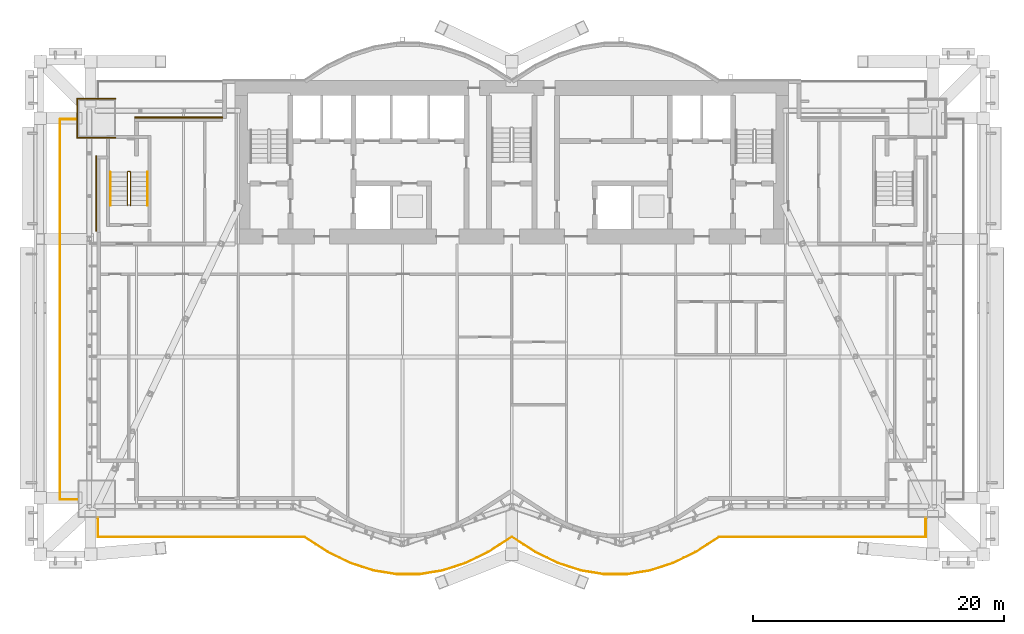
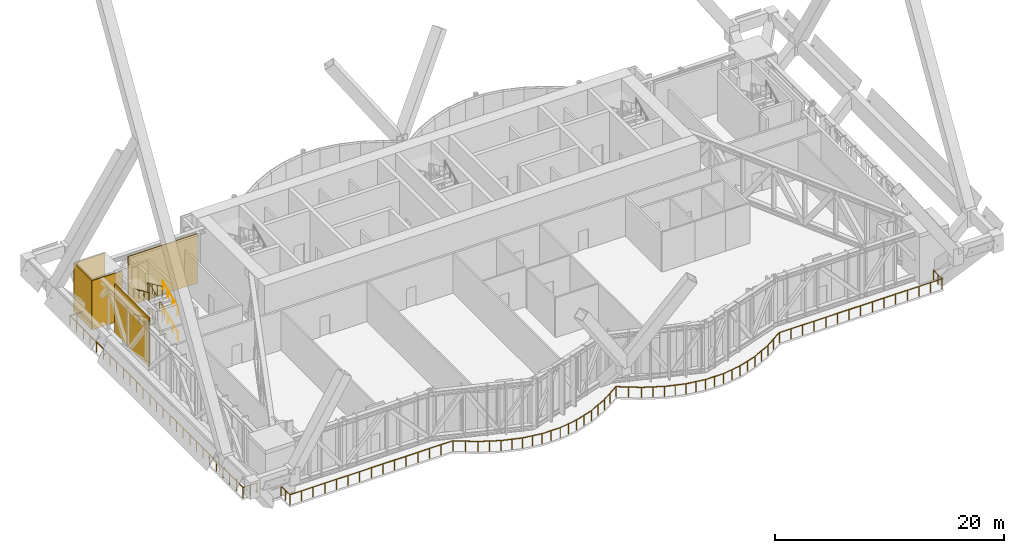
# One storey, part 29 of 32: 8 railings, 5 coverings.
"""IFC4 building model written with IfcOpenShell, lengths in metres."""

import ifcopenshell
import ifcopenshell.guid

model = None  # the IFC model being written
_history = None  # IfcOwnerHistory: only IFC2X3 demands one
_inside = {}  # id of a spatial element -> (the spatial element, [elements in it])
_under = {}  # id of a project, library or spatial element -> (it, [spatial elements below it])
_declared = {}  # id of a project -> (the project, [libraries it declares])
_typed = {}  # id of a type object -> (the type object, [elements of that type])
_made_of = {}  # id of a material, layer set ... -> (it, [elements and type objects made of it])


def new_model(schema):
    """Start an empty IFC model of exactly this schema.

    Asked for "IFC4X3", IfcOpenShell would pick the latest addendum, in which some entities
    have other attributes; the version numbers below select the first issue.
    IFC2X3 requires an IfcOwnerHistory on every rooted entity: one is made here for all.
    """
    global model, _history
    if schema == "IFC4X3":
        model = ifcopenshell.file(schema_version=(4, 3, 0, 0))
    else:
        model = ifcopenshell.file(schema=schema)
    _inside.clear()
    _under.clear()
    _declared.clear()
    _typed.clear()
    _made_of.clear()
    _history = None
    if model.schema == "IFC2X3":
        org = make("IfcOrganization", Name="unknown")
        user = make(
            "IfcPersonAndOrganization",
            ThePerson=make("IfcPerson", FamilyName="unknown"),
            TheOrganization=org,
        )
        app = make(
            "IfcApplication",
            ApplicationDeveloper=org,
            Version="unknown",
            ApplicationFullName="unknown",
            ApplicationIdentifier="unknown",
        )
        _history = make(
            "IfcOwnerHistory",
            OwningUser=user,
            OwningApplication=app,
            ChangeAction="ADDED",
            CreationDate=0,
        )
    return model


def make(cls, **values):
    """One entity of the class cls with the attributes given. An attribute that is None is left unset."""
    return model.create_entity(
        cls, **{name: value for name, value in values.items() if value is not None}
    )


def rooted(cls, **values):
    """An entity with a GlobalId (a new one), such as an element, a storey or a relation."""
    return make(cls, GlobalId=ifcopenshell.guid.new(), OwnerHistory=_history, **values)


def si_unit(unit_type, name, prefix=None):
    """IfcSIUnit, for example si_unit("LENGTHUNIT", "METRE", prefix="MILLI")."""
    return make("IfcSIUnit", UnitType=unit_type, Prefix=prefix, Name=name)


def assignment(units):
    """IfcUnitAssignment: the units of a project."""
    return None if units is None else make("IfcUnitAssignment", Units=units)


def point(xyz):
    """IfcCartesianPoint."""
    return None if xyz is None else make("IfcCartesianPoint", Coordinates=xyz)


def direction(xyz):
    """IfcDirection."""
    return None if xyz is None else make("IfcDirection", DirectionRatios=xyz)


def frame(location, z_axis=None, x_axis=None):
    """IfcAxis2Placement3D, a coordinate frame: its origin and axes. An axis left out is left unset."""
    return make(
        "IfcAxis2Placement3D",
        Location=point(location),
        Axis=direction(z_axis),
        RefDirection=direction(x_axis),
    )


def frame_2d(location, x_axis=None):
    """IfcAxis2Placement2D, a coordinate frame in the plane: its origin and x axis."""
    return make(
        "IfcAxis2Placement2D", Location=point(location), RefDirection=direction(x_axis)
    )


def origin():
    """The frame at (0, 0, 0) with its axes left unset."""
    return frame((0.0, 0.0, 0.0))


def origin_2d():
    """The frame at (0, 0) in the plane with its x axis left unset."""
    return frame_2d((0.0, 0.0))


def place(relative_to, where):
    """IfcLocalPlacement: puts the frame where relative to a parent placement (None: the world)."""
    return make(
        "IfcLocalPlacement", PlacementRelTo=relative_to, RelativePlacement=where
    )


def context(
    kind, dimensions, precision=None, world=None, true_north=None, identifier=None
):
    """IfcGeometricRepresentationContext, for example the 3D "Model" context."""
    return make(
        "IfcGeometricRepresentationContext",
        ContextIdentifier=identifier,
        ContextType=kind,
        CoordinateSpaceDimension=dimensions,
        Precision=precision,
        WorldCoordinateSystem=world,
        TrueNorth=true_north,
    )


def subcontext(parent, identifier, kind, view, scale=None):
    """IfcGeometricRepresentationSubContext, for example "Body" below "Model"."""
    return make(
        "IfcGeometricRepresentationSubContext",
        ContextIdentifier=identifier,
        ContextType=kind,
        ParentContext=parent,
        TargetScale=scale,
        TargetView=view,
    )


def project(units=None, contexts=None):
    """IfcProject with its units and contexts."""
    return rooted(
        "IfcProject",
        Name="project",
        RepresentationContexts=contexts,
        UnitsInContext=assignment(units),
    )


def spatial(cls, under=None, at=None, **own):
    """A site, building, storey or space (cls), placed at a placement, below another one or the project."""
    s = rooted(cls, ObjectPlacement=at, **own)
    if under is not None:
        _under.setdefault(under.id(), (under, []))[1].append(s)
    return s


def profile(cls, at=None, kind="AREA", **sizes):
    """A parametric profile (cls). Its sizes go by their IFC names, for example OverallWidth=200.0."""
    return make(cls, ProfileType=kind, Position=at, **sizes)


def rectangle(**sizes):
    """IfcRectangleProfileDef."""
    return profile("IfcRectangleProfileDef", **sizes)


def circle(**sizes):
    """IfcCircleProfileDef."""
    return profile("IfcCircleProfileDef", **sizes)


def extrude(swept, where, along, depth):
    """IfcExtrudedAreaSolid: the profile swept, set in the frame where, extruded along a direction by depth."""
    return make(
        "IfcExtrudedAreaSolid",
        SweptArea=swept,
        Position=where,
        ExtrudedDirection=direction(along),
        Depth=depth,
    )


def shape(context_of_items, identifier, shape_type, items):
    """IfcShapeRepresentation: the items that make up one representation, for example the "Body"."""
    return make(
        "IfcShapeRepresentation",
        ContextOfItems=context_of_items,
        RepresentationIdentifier=identifier,
        RepresentationType=shape_type,
        Items=items,
    )


def material(Name=None, Category=None):
    """IfcMaterial."""
    return make("IfcMaterial", Name=Name, Category=Category)


def layer(
    of_material, thickness, ventilated=None, Name=None, Category=None, Priority=None
):
    """IfcMaterialLayer: one layer of a wall or slab, of a material (None: an air gap)."""
    return make(
        "IfcMaterialLayer",
        Material=of_material,
        LayerThickness=thickness,
        IsVentilated=ventilated,
        Name=Name,
        Category=Category,
        Priority=Priority,
    )


def layer_set(layers, Name=None):
    """IfcMaterialLayerSet."""
    return make("IfcMaterialLayerSet", MaterialLayers=layers, LayerSetName=Name)


def made_of(thing, what):
    """Note that an element or type object is made of a material, layer set ...; save() writes the relation."""
    if what is not None:
        _made_of.setdefault(what.id(), (what, []))[1].append(thing)
    return thing


def type_object(cls, material=None, **own):
    """A type object (cls), such as IfcWallType, which elements share."""
    return made_of(rooted(cls, **own), material)


def element(
    cls,
    number,
    at=None,
    inside=None,
    cuts=None,
    type_object=None,
    material=None,
    context=None,
    identifier="Body",
    shape_type=None,
    held_by="IfcProductDefinitionShape",
    body=None,
    shapes=None,
    **own,
):
    """One element of the class cls, such as IfcWall. Its Tag is "e" and its number.

    at: its placement. inside: the storey or other place that contains it. cuts: it is an
    opening in that element (IfcRelVoidsElement). A single representation is given by context,
    identifier, shape_type and body (its items); several are given by shapes. held_by: the class
    of the entity that holds the representations. save() writes the other relations.
    """
    e = rooted(cls, Tag="e%d" % number, ObjectPlacement=at, **own)
    if body is not None:
        shapes = [shape(context, identifier, shape_type, body)]
    if shapes is not None:
        e.Representation = make(held_by, Representations=shapes)
    if inside is not None:
        _inside.setdefault(inside.id(), (inside, []))[1].append(e)
    if cuts is not None:
        rooted(
            "IfcRelVoidsElement", RelatingBuildingElement=cuts, RelatedOpeningElement=e
        )
    if type_object is not None:
        _typed.setdefault(type_object.id(), (type_object, []))[1].append(e)
    return made_of(e, material)


def aggregate(whole, parts):
    """IfcRelAggregates: a whole, such as a stair, and the parts it consists of."""
    return rooted("IfcRelAggregates", RelatingObject=whole, RelatedObjects=parts)


def save(model, path):
    """Write the relations noted so far, then the file.

    IfcRelAggregates (storeys below a building ...), IfcRelContainedInSpatialStructure (elements
    in a storey), IfcRelDefinesByType, IfcRelAssociatesMaterial and IfcRelDeclares: one each for
    every whole, place, type object, material and project.
    """
    for whole, parts in _under.values():
        aggregate(whole, parts)
    for where, things in _inside.values():
        rooted(
            "IfcRelContainedInSpatialStructure",
            RelatedElements=things,
            RelatingStructure=where,
        )
    for kind, things in _typed.values():
        rooted("IfcRelDefinesByType", RelatedObjects=things, RelatingType=kind)
    for what, things in _made_of.values():
        rooted("IfcRelAssociatesMaterial", RelatedObjects=things, RelatingMaterial=what)
    for by, libraries in _declared.values():
        rooted("IfcRelDeclares", RelatingContext=by, RelatedDefinitions=libraries)
    model.write(path)


model = new_model("IFC4")

# Units and contexts
model_context = context("Model", 3, precision=1e-05, world=origin(), true_north=direction((0.0, 1.0)))
body_context = subcontext(model_context, "Body", "Model", "MODEL_VIEW")
ifc_project = project(units=[si_unit("LENGTHUNIT", "METRE"), si_unit("AREAUNIT", "SQUARE_METRE"), si_unit("VOLUMEUNIT", "CUBIC_METRE"), si_unit("PLANEANGLEUNIT", "RADIAN"), si_unit("MASSUNIT", "GRAM", prefix="KILO")], contexts=[model_context])

# Site, building, storey
site_placement = place(None, origin())
site = spatial("IfcSite", under=ifc_project, at=site_placement, CompositionType="ELEMENT")
building_placement = place(site_placement, origin())
building = spatial("IfcBuilding", under=site, at=building_placement, Name="Bicima Exchange Tower", CompositionType="ELEMENT")
storey_placement = place(building_placement, frame((0.0, 0.0, 135.0)))
storey = spatial("IfcBuildingStorey", under=building, at=storey_placement, Name="L29", CompositionType="ELEMENT", Elevation=135.0)

# Coverings
ifc_material_1 = material(Name="Bronze metal cladding")
ifc_layer_1 = layer(ifc_material_1, 0.004)
ifc_material_2 = material(Name="Ventilated cavity")
ifc_layer_2 = layer(ifc_material_2, 0.06)
ifc_material_3 = material(Name="Galvanised steel rail and mineral wool", Category="steel")
ifc_layer_3 = layer(ifc_material_3, 0.036)
ifc_layer_set = layer_set([ifc_layer_1, ifc_layer_2, ifc_layer_3], Name="Ventilated cavity")
covering_type = type_object("IfcCoveringType", Name="Bronze metal cladding panel 100", PredefinedType="CLADDING", material=ifc_layer_set)
covering_1_placement = place(storey_placement, frame((-26.5, -2.949951171875, 0.0), z_axis=(0.0, 0.0, 1.0), x_axis=(-1.0, 0.0, 0.0)))
element("IfcCovering", 1, at=covering_1_placement, inside=storey, type_object=covering_type, Name="Bronze cladding L29 28.1", PredefinedType="CLADDING", context=body_context, shape_type="SweptSolid", body=[
    extrude(rectangle(XDim=7.0, YDim=0.10009765625, at=origin_2d()), origin(), (0.0, 0.0, 1.0), 5.25),
])
covering_2_placement = place(storey_placement, frame((-33.050048828125, -9.0, 0.0), z_axis=(0.0, 0.0, 1.0), x_axis=(0.0, -1.0, 0.0)))
element("IfcCovering", 2, at=covering_2_placement, inside=storey, type_object=covering_type, Name="Bronze cladding L29 31.1", PredefinedType="CLADDING", context=body_context, shape_type="SweptSolid", body=[
    extrude(rectangle(XDim=6.0, YDim=0.10009765625, at=origin_2d()), origin(), (0.0, 0.0, 1.0), 5.25),
])
for number, where, z_axis, x_axis, name in (
    (3, (-33.050048828125, -1.449951171875, 0.0), (0.0, 0.0, 1.0), (1.0, 0.0, 0.0), "Column cladding L29 1N"),
    (4, (-33.050048828125, -4.550048828125, 0.0), (0.0, 0.0, 1.0), (1.0, 0.0, 0.0), "Column cladding L29 1S"),
):
    element("IfcCovering", number, at=place(storey_placement, frame(where, z_axis=z_axis, x_axis=x_axis)), inside=storey, type_object=covering_type, Name=name, PredefinedType="CLADDING", context=body_context, shape_type="SweptSolid", body=[
        extrude(rectangle(XDim=3.10009765625, YDim=0.10009765625, at=origin_2d()), origin(), (0.0, 0.0, 1.0), 5.25),
    ])
covering_3_placement = place(storey_placement, frame((-34.550048828125, -3.0, 0.0), z_axis=(0.0, 0.0, 1.0), x_axis=(1.0, 0.0, 0.0)))
element("IfcCovering", 5, at=covering_3_placement, inside=storey, type_object=covering_type, Name="Column cladding L29 1O", PredefinedType="CLADDING", context=body_context, shape_type="SweptSolid", body=[
    extrude(rectangle(XDim=0.10009765625, YDim=3.0, at=origin_2d()), origin(), (0.0, 0.0, 1.0), 5.25),
])

# Railings
ifc_material_4 = material(Name="Stainless steel", Category="steel")
railing_type_1 = type_object("IfcRailingType", Name="Stair guard 1100", PredefinedType="GUARDRAIL", material=ifc_material_4)
railing_1_placement = place(storey_placement, frame((-30.324951171875, -9.925048828125, 0.168701171875)))
element("IfcRailing", 6, at=railing_1_placement, inside=storey, type_object=railing_type_1, Name="L29 ST-WW stair guard 1", PredefinedType="GUARDRAIL", context=body_context, shape_type="SweptSolid", body=[
    extrude(circle(Radius=0.02392578125, at=origin_2d()), frame((0.0, 0.0, 1.076171875), z_axis=(0.0, 0.912201722539, 0.409741403079), x_axis=(-1.0, 0.0, 0.0)), (0.0, 0.0, 1.0), 2.88330078125),
    extrude(circle(Radius=0.02392578125, at=origin_2d()), frame((0.0, 2.630126953125, 2.25732421875), z_axis=(-0.708833529934, 0.705375805398, 0.0), x_axis=(-0.705375805398, -0.708833529934, 0.0)), (0.0, 0.0, 1.0), 0.070556640625),
    extrude(circle(Radius=0.02392578125, at=origin_2d()), frame((-0.050048828125, 2.679931640625, 2.25732421875), z_axis=(-1.0, 0.0, 0.0), x_axis=(0.0, -1.0, 0.0)), (0.0, 0.0, 1.0), 0.14990234375),
    extrude(circle(Radius=0.02392578125, at=origin_2d()), frame((-0.199951171875, 2.679931640625, 2.25732421875), z_axis=(-0.273668752699, -0.272333783174, 0.922463942026), x_axis=(0.705375805398, -0.708833529934, 0.0)), (0.0, 0.0, 1.0), 0.182861328125),
    extrude(circle(Radius=0.02392578125, at=origin_2d()), frame((-0.25, 2.630126953125, 2.42626953125), z_axis=(0.0, -0.912233369549, 0.409670940488), x_axis=(1.0, 0.0, 0.0)), (0.0, 0.0, 1.0), 2.883056640625),
    extrude(circle(Radius=0.02099609375, at=origin_2d()), origin(), (0.0, 0.0, 1.0), 1.052001953125),
    extrude(circle(Radius=0.02099609375, at=origin_2d()), frame((0.0, 0.876708984375, 0.393798828125)), (0.0, 0.0, 1.0), 1.052001953125),
    extrude(circle(Radius=0.02099609375, at=origin_2d()), frame((0.0, 1.75341796875, 0.78759765625)), (0.0, 0.0, 1.0), 1.052001953125),
    extrude(circle(Radius=0.02099609375, at=origin_2d()), frame((0.0, 2.630126953125, 1.181396484375)), (0.0, 0.0, 1.0), 1.052001953125),
    extrude(circle(Radius=0.02099609375, at=origin_2d()), frame((-0.050048828125, 2.679931640625, 1.181396484375)), (0.0, 0.0, 1.0), 1.052001953125),
    extrude(circle(Radius=0.02099609375, at=origin_2d()), frame((-0.199951171875, 2.679931640625, 1.181396484375)), (0.0, 0.0, 1.0), 1.052001953125),
    extrude(circle(Radius=0.02099609375, at=origin_2d()), frame((-0.25, 2.630126953125, 1.35009765625)), (0.0, 0.0, 1.0), 1.052001953125),
    extrude(circle(Radius=0.02099609375, at=origin_2d()), frame((-0.25, 1.75341796875, 1.743896484375)), (0.0, 0.0, 1.0), 1.052001953125),
    extrude(circle(Radius=0.02099609375, at=origin_2d()), frame((-0.25, 0.876708984375, 2.137451171875)), (0.0, 0.0, 1.0), 1.052001953125),
    extrude(circle(Radius=0.02099609375, at=origin_2d()), frame((-0.25, 0.0, 2.53125)), (0.0, 0.0, 1.0), 1.052001953125),
])
railing_2_placement = place(storey_placement, frame((-30.324951171875, -9.925048828125, 2.86865234375)))
element("IfcRailing", 7, at=railing_2_placement, inside=storey, type_object=railing_type_1, Name="L29 ST-WW stair guard 2", PredefinedType="GUARDRAIL", context=body_context, shape_type="SweptSolid", body=[
    extrude(circle(Radius=0.02392578125, at=origin_2d()), frame((0.0, 0.0, 1.076171875), z_axis=(0.0, 0.912201722539, 0.409741403079), x_axis=(-1.0, 0.0, 0.0)), (0.0, 0.0, 1.0), 2.88330078125),
    extrude(circle(Radius=0.02392578125, at=origin_2d()), frame((0.0, 2.630126953125, 2.25732421875), z_axis=(-0.708833529934, 0.705375805398, 0.0), x_axis=(-0.705375805398, -0.708833529934, 0.0)), (0.0, 0.0, 1.0), 0.070556640625),
    extrude(circle(Radius=0.02392578125, at=origin_2d()), frame((-0.050048828125, 2.679931640625, 2.25732421875), z_axis=(-1.0, 0.0, 0.0), x_axis=(0.0, -1.0, 0.0)), (0.0, 0.0, 1.0), 0.14990234375),
    extrude(circle(Radius=0.02392578125, at=origin_2d()), frame((-0.199951171875, 2.679931640625, 2.25732421875), z_axis=(-0.273668752699, -0.272333783174, 0.922463942026), x_axis=(0.705375805398, -0.708833529934, 0.0)), (0.0, 0.0, 1.0), 0.182861328125),
    extrude(circle(Radius=0.02392578125, at=origin_2d()), frame((-0.25, 2.630126953125, 2.42626953125), z_axis=(0.0, -0.912233369549, 0.409670940488), x_axis=(1.0, 0.0, 0.0)), (0.0, 0.0, 1.0), 2.883056640625),
    extrude(circle(Radius=0.02099609375, at=origin_2d()), origin(), (0.0, 0.0, 1.0), 1.052001953125),
    extrude(circle(Radius=0.02099609375, at=origin_2d()), frame((0.0, 0.876708984375, 0.393798828125)), (0.0, 0.0, 1.0), 1.052001953125),
    extrude(circle(Radius=0.02099609375, at=origin_2d()), frame((0.0, 1.75341796875, 0.78759765625)), (0.0, 0.0, 1.0), 1.052001953125),
    extrude(circle(Radius=0.02099609375, at=origin_2d()), frame((0.0, 2.630126953125, 1.181396484375)), (0.0, 0.0, 1.0), 1.052001953125),
    extrude(circle(Radius=0.02099609375, at=origin_2d()), frame((-0.050048828125, 2.679931640625, 1.181396484375)), (0.0, 0.0, 1.0), 1.052001953125),
    extrude(circle(Radius=0.02099609375, at=origin_2d()), frame((-0.199951171875, 2.679931640625, 1.181396484375)), (0.0, 0.0, 1.0), 1.052001953125),
    extrude(circle(Radius=0.02099609375, at=origin_2d()), frame((-0.25, 2.630126953125, 1.35009765625)), (0.0, 0.0, 1.0), 1.052001953125),
    extrude(circle(Radius=0.02099609375, at=origin_2d()), frame((-0.25, 1.75341796875, 1.743896484375)), (0.0, 0.0, 1.0), 1.052001953125),
    extrude(circle(Radius=0.02099609375, at=origin_2d()), frame((-0.25, 0.876708984375, 2.137451171875)), (0.0, 0.0, 1.0), 1.052001953125),
    extrude(circle(Radius=0.02099609375, at=origin_2d()), frame((-0.25, 0.0, 2.53125)), (0.0, 0.0, 1.0), 1.052001953125),
])
railing_type_2 = type_object("IfcRailingType", Name="Stair handrail 900", PredefinedType="HANDRAIL", material=ifc_material_4)
railing_3_placement = place(storey_placement, frame((-28.97509765625, -9.925048828125, 0.168701171875)))
element("IfcRailing", 8, at=railing_3_placement, inside=storey, type_object=railing_type_2, Name="L29 ST-WW stair handrail 1", PredefinedType="HANDRAIL", context=body_context, shape_type="SweptSolid", body=[
    extrude(circle(Radius=0.02392578125, at=origin_2d()), frame((0.0, 0.0, 0.8759765625), z_axis=(0.0, 0.912201722539, 0.409741403079), x_axis=(-1.0, 0.0, 0.0)), (0.0, 0.0, 1.0), 2.88330078125),
    extrude(circle(Radius=0.02099609375, at=origin_2d()), origin(), (0.0, 0.0, 1.0), 0.851806640625),
    extrude(circle(Radius=0.02099609375, at=origin_2d()), frame((0.0, 0.876708984375, 0.393798828125)), (0.0, 0.0, 1.0), 0.851806640625),
    extrude(circle(Radius=0.02099609375, at=origin_2d()), frame((0.0, 1.75341796875, 0.78759765625)), (0.0, 0.0, 1.0), 0.851806640625),
    extrude(circle(Radius=0.02099609375, at=origin_2d()), frame((0.0, 2.630126953125, 1.181396484375)), (0.0, 0.0, 1.0), 0.851806640625),
])
railing_4_placement = place(storey_placement, frame((-31.925048828125, -7.294921875, 1.518798828125)))
element("IfcRailing", 9, at=railing_4_placement, inside=storey, type_object=railing_type_2, Name="L29 ST-WW stair handrail 2", PredefinedType="HANDRAIL", context=body_context, shape_type="SweptSolid", body=[
    extrude(circle(Radius=0.02392578125, at=origin_2d()), frame((0.0, 0.0, 0.8759765625), z_axis=(0.0, -0.912233369549, 0.409670940488), x_axis=(1.0, 0.0, 0.0)), (0.0, 0.0, 1.0), 2.883056640625),
    extrude(circle(Radius=0.02099609375, at=origin_2d()), origin(), (0.0, 0.0, 1.0), 0.851806640625),
    extrude(circle(Radius=0.02099609375, at=origin_2d()), frame((0.0, -0.876708984375, 0.393798828125)), (0.0, 0.0, 1.0), 0.851806640625),
    extrude(circle(Radius=0.02099609375, at=origin_2d()), frame((0.0, -1.75341796875, 0.787353515625)), (0.0, 0.0, 1.0), 0.851806640625),
    extrude(circle(Radius=0.02099609375, at=origin_2d()), frame((0.0, -2.630126953125, 1.18115234375)), (0.0, 0.0, 1.0), 0.851806640625),
])
railing_5_placement = place(storey_placement, frame((-28.97509765625, -9.925048828125, 2.86865234375)))
element("IfcRailing", 10, at=railing_5_placement, inside=storey, type_object=railing_type_2, Name="L29 ST-WW stair handrail 3", PredefinedType="HANDRAIL", context=body_context, shape_type="SweptSolid", body=[
    extrude(circle(Radius=0.02392578125, at=origin_2d()), frame((0.0, 0.0, 0.8759765625), z_axis=(0.0, 0.912201722539, 0.409741403079), x_axis=(-1.0, 0.0, 0.0)), (0.0, 0.0, 1.0), 2.88330078125),
    extrude(circle(Radius=0.02099609375, at=origin_2d()), origin(), (0.0, 0.0, 1.0), 0.851806640625),
    extrude(circle(Radius=0.02099609375, at=origin_2d()), frame((0.0, 0.876708984375, 0.393798828125)), (0.0, 0.0, 1.0), 0.851806640625),
    extrude(circle(Radius=0.02099609375, at=origin_2d()), frame((0.0, 1.75341796875, 0.78759765625)), (0.0, 0.0, 1.0), 0.851806640625),
    extrude(circle(Radius=0.02099609375, at=origin_2d()), frame((0.0, 2.630126953125, 1.181396484375)), (0.0, 0.0, 1.0), 0.851806640625),
])
railing_6_placement = place(storey_placement, frame((-31.925048828125, -7.294921875, 4.241455078125)))
element("IfcRailing", 11, at=railing_6_placement, inside=storey, type_object=railing_type_2, Name="L29 ST-WW stair handrail 4", PredefinedType="HANDRAIL", context=body_context, shape_type="SweptSolid", body=[
    extrude(circle(Radius=0.02392578125, at=origin_2d()), frame((0.0, 0.0, 0.8759765625), z_axis=(0.0, -0.912201722539, 0.409741403079), x_axis=(1.0, 0.0, 0.0)), (0.0, 0.0, 1.0), 2.88330078125),
    extrude(circle(Radius=0.02099609375, at=origin_2d()), origin(), (0.0, 0.0, 1.0), 0.851806640625),
    extrude(circle(Radius=0.02099609375, at=origin_2d()), frame((0.0, -0.876708984375, 0.393798828125)), (0.0, 0.0, 1.0), 0.851806640625),
    extrude(circle(Radius=0.02099609375, at=origin_2d()), frame((0.0, -1.75341796875, 0.78759765625)), (0.0, 0.0, 1.0), 0.851806640625),
    extrude(circle(Radius=0.02099609375, at=origin_2d()), frame((0.0, -2.630126953125, 1.181396484375)), (0.0, 0.0, 1.0), 0.851806640625),
])
ifc_material_5 = material(Name="Stainless steel and bonded safety glass", Category="steel")
railing_type_3 = type_object("IfcRailingType", Name="Terrace guard 1100", PredefinedType="GUARDRAIL", material=ifc_material_5)
railing_7_placement = place(storey_placement, frame((-34.5, -33.30810546875, 0.0)))
element("IfcRailing", 12, at=railing_7_placement, inside=storey, type_object=railing_type_3, Name="Terrace guard L29 1", PredefinedType="GUARDRAIL", context=body_context, shape_type="SweptSolid", body=[
    extrude(circle(Radius=0.02392578125, at=origin_2d()), frame((0.0, 0.0, 1.076171875), z_axis=(-1.0, 0.0, 0.0), x_axis=(0.0, -1.0, 0.0)), (0.0, 0.0, 1.0), 1.419921875),
    extrude(circle(Radius=0.02392578125, at=origin_2d()), frame((-1.419921875, 0.0, 1.076171875), z_axis=(0.0, 1.0, 0.0), x_axis=(-1.0, 0.0, 0.0)), (0.0, 0.0, 1.0), 30.22802734375),
    extrude(circle(Radius=0.02392578125, at=origin_2d()), frame((-1.419921875, 30.22802734375, 1.076171875), z_axis=(1.0, 0.0, 0.0), x_axis=(0.0, 1.0, 0.0)), (0.0, 0.0, 1.0), 1.419921875),
    extrude(circle(Radius=0.02099609375, at=origin_2d()), origin(), (0.0, 0.0, 1.0), 1.052001953125),
    extrude(circle(Radius=0.02099609375, at=origin_2d()), frame((-0.7099609375, 0.0, 0.0)), (0.0, 0.0, 1.0), 1.052001953125),
    extrude(circle(Radius=0.02099609375, at=origin_2d()), frame((-1.419921875, 0.0, 0.0)), (0.0, 0.0, 1.0), 1.052001953125),
    extrude(circle(Radius=0.02099609375, at=origin_2d()), frame((-1.419921875, 1.16259765625, 0.0)), (0.0, 0.0, 1.0), 1.052001953125),
    extrude(circle(Radius=0.02099609375, at=origin_2d()), frame((-1.419921875, 2.3251953125, 0.0)), (0.0, 0.0, 1.0), 1.052001953125),
    extrude(circle(Radius=0.02099609375, at=origin_2d()), frame((-1.419921875, 3.48779296875, 0.0)), (0.0, 0.0, 1.0), 1.052001953125),
    extrude(circle(Radius=0.02099609375, at=origin_2d()), frame((-1.419921875, 4.650390625, 0.0)), (0.0, 0.0, 1.0), 1.052001953125),
    extrude(circle(Radius=0.02099609375, at=origin_2d()), frame((-1.419921875, 5.81298828125, 0.0)), (0.0, 0.0, 1.0), 1.052001953125),
    extrude(circle(Radius=0.02099609375, at=origin_2d()), frame((-1.419921875, 6.9755859375, 0.0)), (0.0, 0.0, 1.0), 1.052001953125),
    extrude(circle(Radius=0.02099609375, at=origin_2d()), frame((-1.419921875, 8.138427734375, 0.0)), (0.0, 0.0, 1.0), 1.052001953125),
    extrude(circle(Radius=0.02099609375, at=origin_2d()), frame((-1.419921875, 9.301025390625, 0.0)), (0.0, 0.0, 1.0), 1.052001953125),
    extrude(circle(Radius=0.02099609375, at=origin_2d()), frame((-1.419921875, 10.463623046875, 0.0)), (0.0, 0.0, 1.0), 1.052001953125),
    extrude(circle(Radius=0.02099609375, at=origin_2d()), frame((-1.419921875, 11.626220703125, 0.0)), (0.0, 0.0, 1.0), 1.052001953125),
    extrude(circle(Radius=0.02099609375, at=origin_2d()), frame((-1.419921875, 12.788818359375, 0.0)), (0.0, 0.0, 1.0), 1.052001953125),
    extrude(circle(Radius=0.02099609375, at=origin_2d()), frame((-1.419921875, 13.951416015625, 0.0)), (0.0, 0.0, 1.0), 1.052001953125),
    extrude(circle(Radius=0.02099609375, at=origin_2d()), frame((-1.419921875, 15.114013671875, 0.0)), (0.0, 0.0, 1.0), 1.052001953125),
    extrude(circle(Radius=0.02099609375, at=origin_2d()), frame((-1.419921875, 16.276611328125, 0.0)), (0.0, 0.0, 1.0), 1.052001953125),
    extrude(circle(Radius=0.02099609375, at=origin_2d()), frame((-1.419921875, 17.439208984375, 0.0)), (0.0, 0.0, 1.0), 1.052001953125),
    extrude(circle(Radius=0.02099609375, at=origin_2d()), frame((-1.419921875, 18.601806640625, 0.0)), (0.0, 0.0, 1.0), 1.052001953125),
    extrude(circle(Radius=0.02099609375, at=origin_2d()), frame((-1.419921875, 19.764404296875, 0.0)), (0.0, 0.0, 1.0), 1.052001953125),
    extrude(circle(Radius=0.02099609375, at=origin_2d()), frame((-1.419921875, 20.927001953125, 0.0)), (0.0, 0.0, 1.0), 1.052001953125),
    extrude(circle(Radius=0.02099609375, at=origin_2d()), frame((-1.419921875, 22.089599609375, 0.0)), (0.0, 0.0, 1.0), 1.052001953125),
    extrude(circle(Radius=0.02099609375, at=origin_2d()), frame((-1.419921875, 23.25244140625, 0.0)), (0.0, 0.0, 1.0), 1.052001953125),
    extrude(circle(Radius=0.02099609375, at=origin_2d()), frame((-1.419921875, 24.4150390625, 0.0)), (0.0, 0.0, 1.0), 1.052001953125),
    extrude(circle(Radius=0.02099609375, at=origin_2d()), frame((-1.419921875, 25.57763671875, 0.0)), (0.0, 0.0, 1.0), 1.052001953125),
    extrude(circle(Radius=0.02099609375, at=origin_2d()), frame((-1.419921875, 26.740234375, 0.0)), (0.0, 0.0, 1.0), 1.052001953125),
    extrude(circle(Radius=0.02099609375, at=origin_2d()), frame((-1.419921875, 27.90283203125, 0.0)), (0.0, 0.0, 1.0), 1.052001953125),
    extrude(circle(Radius=0.02099609375, at=origin_2d()), frame((-1.419921875, 29.0654296875, 0.0)), (0.0, 0.0, 1.0), 1.052001953125),
    extrude(circle(Radius=0.02099609375, at=origin_2d()), frame((-1.419921875, 30.22802734375, 0.0)), (0.0, 0.0, 1.0), 1.052001953125),
    extrude(circle(Radius=0.02099609375, at=origin_2d()), frame((-0.7099609375, 30.22802734375, 0.0)), (0.0, 0.0, 1.0), 1.052001953125),
    extrude(circle(Radius=0.02099609375, at=origin_2d()), frame((0.0, 30.22802734375, 0.0)), (0.0, 0.0, 1.0), 1.052001953125),
])
railing_8_placement = place(storey_placement, frame((32.919921875, -34.76611328125, 0.0)))
element("IfcRailing", 13, at=railing_8_placement, inside=storey, type_object=railing_type_3, Name="Terrace guard L29 5", PredefinedType="GUARDRAIL", context=body_context, shape_type="SweptSolid", body=[
    extrude(circle(Radius=0.02392578125, at=origin_2d()), frame((0.0, 0.0, 1.076171875), z_axis=(0.0, -1.0, 0.0), x_axis=(1.0, 0.0, 0.0)), (0.0, 0.0, 1.0), 1.5419921875),
    extrude(circle(Radius=0.02392578125, at=origin_2d()), frame((0.0, -1.5419921875, 1.076171875), z_axis=(-1.0, 0.0, 0.0), x_axis=(0.0, -1.0, 0.0)), (0.0, 0.0, 1.0), 16.443603515625),
    extrude(circle(Radius=0.02392578125, at=origin_2d()), frame((-16.443603515625, -1.5419921875, 1.076171875), z_axis=(-0.839781328468, -0.542924783333, 0.0), x_axis=(0.542924783333, -0.839781328468, 0.0)), (0.0, 0.0, 1.0), 2.20166015625),
    extrude(circle(Radius=0.02392578125, at=origin_2d()), frame((-18.29248046875, -2.7373046875, 1.076171875), z_axis=(-0.899828434483, -0.436243955253, 0.0), x_axis=(0.436243955253, -0.899828434483, 0.0)), (0.0, 0.0, 1.0), 2.027099609375),
    extrude(circle(Radius=0.02392578125, at=origin_2d()), frame((-20.116455078125, -3.62158203125, 1.076171875), z_axis=(-0.951512577921, -0.307609840638, 0.0), x_axis=(0.307609840638, -0.951512577921, 0.0)), (0.0, 0.0, 1.0), 1.9150390625),
    extrude(circle(Radius=0.02392578125, at=origin_2d()), frame((-21.938720703125, -4.210693359375, 1.076171875), z_axis=(-0.987197453363, -0.159502940641, 0.0), x_axis=(0.159502940641, -0.987197453363, 0.0)), (0.0, 0.0, 1.0), 1.844482421875),
    extrude(circle(Radius=0.02392578125, at=origin_2d()), frame((-23.759521484375, -4.5048828125, 1.076171875), z_axis=(-1.0, 0.0, 0.0), x_axis=(0.0, -1.0, 0.0)), (0.0, 0.0, 1.0), 1.82080078125),
    extrude(circle(Radius=0.02392578125, at=origin_2d()), frame((-25.580322265625, -4.5048828125, 1.076171875), z_axis=(-0.987197453363, 0.159502940641, 0.0), x_axis=(-0.159502940641, -0.987197453363, 0.0)), (0.0, 0.0, 1.0), 1.844482421875),
    extrude(circle(Radius=0.02392578125, at=origin_2d()), frame((-27.401123046875, -4.210693359375, 1.076171875), z_axis=(-0.951512577921, 0.307609840638, 0.0), x_axis=(-0.307609840638, -0.951512577921, 0.0)), (0.0, 0.0, 1.0), 1.9150390625),
    extrude(circle(Radius=0.02392578125, at=origin_2d()), frame((-29.223388671875, -3.62158203125, 1.076171875), z_axis=(-0.899828434483, 0.436243955253, 0.0), x_axis=(-0.436243955253, -0.899828434483, 0.0)), (0.0, 0.0, 1.0), 2.027099609375),
    extrude(circle(Radius=0.02392578125, at=origin_2d()), frame((-31.04736328125, -2.7373046875, 1.076171875), z_axis=(-0.839766911995, 0.542947081693, 0.0), x_axis=(-0.542947081693, -0.839766911995, 0.0)), (0.0, 0.0, 1.0), 2.229736328125),
    extrude(circle(Radius=0.02392578125, at=origin_2d()), frame((-32.919921875, -1.526611328125, 1.076171875), z_axis=(-0.839766911995, -0.542947081693, 0.0), x_axis=(0.542947081693, -0.839766911995, 0.0)), (0.0, 0.0, 1.0), 2.229736328125),
    extrude(circle(Radius=0.02392578125, at=origin_2d()), frame((-34.79248046875, -2.7373046875, 1.076171875), z_axis=(-0.899828434483, -0.436243955253, 0.0), x_axis=(0.436243955253, -0.899828434483, 0.0)), (0.0, 0.0, 1.0), 2.027099609375),
    extrude(circle(Radius=0.02392578125, at=origin_2d()), frame((-36.616455078125, -3.62158203125, 1.076171875), z_axis=(-0.951512577921, -0.307609840638, 0.0), x_axis=(0.307609840638, -0.951512577921, 0.0)), (0.0, 0.0, 1.0), 1.9150390625),
    extrude(circle(Radius=0.02392578125, at=origin_2d()), frame((-38.438720703125, -4.210693359375, 1.076171875), z_axis=(-0.987197453363, -0.159502940641, 0.0), x_axis=(0.159502940641, -0.987197453363, 0.0)), (0.0, 0.0, 1.0), 1.844482421875),
    extrude(circle(Radius=0.02392578125, at=origin_2d()), frame((-40.259521484375, -4.5048828125, 1.076171875), z_axis=(-1.0, 0.0, 0.0), x_axis=(0.0, -1.0, 0.0)), (0.0, 0.0, 1.0), 1.82080078125),
    extrude(circle(Radius=0.02392578125, at=origin_2d()), frame((-42.080322265625, -4.5048828125, 1.076171875), z_axis=(-0.987197453363, 0.159502940641, 0.0), x_axis=(-0.159502940641, -0.987197453363, 0.0)), (0.0, 0.0, 1.0), 1.844482421875),
    extrude(circle(Radius=0.02392578125, at=origin_2d()), frame((-43.901123046875, -4.210693359375, 1.076171875), z_axis=(-0.951512577921, 0.307609840638, 0.0), x_axis=(-0.307609840638, -0.951512577921, 0.0)), (0.0, 0.0, 1.0), 1.9150390625),
    extrude(circle(Radius=0.02392578125, at=origin_2d()), frame((-45.723388671875, -3.62158203125, 1.076171875), z_axis=(-0.899828434483, 0.436243955253, 0.0), x_axis=(-0.436243955253, -0.899828434483, 0.0)), (0.0, 0.0, 1.0), 2.027099609375),
    extrude(circle(Radius=0.02392578125, at=origin_2d()), frame((-47.54736328125, -2.7373046875, 1.076171875), z_axis=(-0.839781328468, 0.542924783333, 0.0), x_axis=(-0.542924783333, -0.839781328468, 0.0)), (0.0, 0.0, 1.0), 2.20166015625),
    extrude(circle(Radius=0.02392578125, at=origin_2d()), frame((-49.396240234375, -1.5419921875, 1.076171875), z_axis=(-1.0, 0.0, 0.0), x_axis=(0.0, -1.0, 0.0)), (0.0, 0.0, 1.0), 16.443603515625),
    extrude(circle(Radius=0.02392578125, at=origin_2d()), frame((-65.83984375, -1.5419921875, 1.076171875), z_axis=(0.0, 1.0, 0.0), x_axis=(-1.0, 0.0, 0.0)), (0.0, 0.0, 1.0), 1.5419921875),
    extrude(circle(Radius=0.02099609375, at=origin_2d()), origin(), (0.0, 0.0, 1.0), 1.052001953125),
    extrude(circle(Radius=0.02099609375, at=origin_2d()), frame((0.0, -0.77099609375, 0.0)), (0.0, 0.0, 1.0), 1.052001953125),
    extrude(circle(Radius=0.02099609375, at=origin_2d()), frame((0.0, -1.5419921875, 0.0)), (0.0, 0.0, 1.0), 1.052001953125),
    extrude(circle(Radius=0.02099609375, at=origin_2d()), frame((-1.174560546875, -1.5419921875, 0.0)), (0.0, 0.0, 1.0), 1.052001953125),
    extrude(circle(Radius=0.02099609375, at=origin_2d()), frame((-2.34912109375, -1.5419921875, 0.0)), (0.0, 0.0, 1.0), 1.052001953125),
    extrude(circle(Radius=0.02099609375, at=origin_2d()), frame((-3.523681640625, -1.5419921875, 0.0)), (0.0, 0.0, 1.0), 1.052001953125),
    extrude(circle(Radius=0.02099609375, at=origin_2d()), frame((-4.6982421875, -1.5419921875, 0.0)), (0.0, 0.0, 1.0), 1.052001953125),
    extrude(circle(Radius=0.02099609375, at=origin_2d()), frame((-5.872802734375, -1.5419921875, 0.0)), (0.0, 0.0, 1.0), 1.052001953125),
    extrude(circle(Radius=0.02099609375, at=origin_2d()), frame((-7.04736328125, -1.5419921875, 0.0)), (0.0, 0.0, 1.0), 1.052001953125),
    extrude(circle(Radius=0.02099609375, at=origin_2d()), frame((-8.2216796875, -1.5419921875, 0.0)), (0.0, 0.0, 1.0), 1.052001953125),
    extrude(circle(Radius=0.02099609375, at=origin_2d()), frame((-9.396240234375, -1.5419921875, 0.0)), (0.0, 0.0, 1.0), 1.052001953125),
    extrude(circle(Radius=0.02099609375, at=origin_2d()), frame((-10.57080078125, -1.5419921875, 0.0)), (0.0, 0.0, 1.0), 1.052001953125),
    extrude(circle(Radius=0.02099609375, at=origin_2d()), frame((-11.745361328125, -1.5419921875, 0.0)), (0.0, 0.0, 1.0), 1.052001953125),
    extrude(circle(Radius=0.02099609375, at=origin_2d()), frame((-12.919921875, -1.5419921875, 0.0)), (0.0, 0.0, 1.0), 1.052001953125),
    extrude(circle(Radius=0.02099609375, at=origin_2d()), frame((-14.094482421875, -1.5419921875, 0.0)), (0.0, 0.0, 1.0), 1.052001953125),
    extrude(circle(Radius=0.02099609375, at=origin_2d()), frame((-15.26904296875, -1.5419921875, 0.0)), (0.0, 0.0, 1.0), 1.052001953125),
    extrude(circle(Radius=0.02099609375, at=origin_2d()), frame((-16.443603515625, -1.5419921875, 0.0)), (0.0, 0.0, 1.0), 1.052001953125),
    extrude(circle(Radius=0.02099609375, at=origin_2d()), frame((-17.3681640625, -2.1396484375, 0.0)), (0.0, 0.0, 1.0), 1.052001953125),
    extrude(circle(Radius=0.02099609375, at=origin_2d()), frame((-18.29248046875, -2.7373046875, 0.0)), (0.0, 0.0, 1.0), 1.052001953125),
    extrude(circle(Radius=0.02099609375, at=origin_2d()), frame((-19.20458984375, -3.179443359375, 0.0)), (0.0, 0.0, 1.0), 1.052001953125),
    extrude(circle(Radius=0.02099609375, at=origin_2d()), frame((-20.116455078125, -3.62158203125, 0.0)), (0.0, 0.0, 1.0), 1.052001953125),
    extrude(circle(Radius=0.02099609375, at=origin_2d()), frame((-21.027587890625, -3.916015625, 0.0)), (0.0, 0.0, 1.0), 1.052001953125),
    extrude(circle(Radius=0.02099609375, at=origin_2d()), frame((-21.938720703125, -4.210693359375, 0.0)), (0.0, 0.0, 1.0), 1.052001953125),
    extrude(circle(Radius=0.02099609375, at=origin_2d()), frame((-22.84912109375, -4.35791015625, 0.0)), (0.0, 0.0, 1.0), 1.052001953125),
    extrude(circle(Radius=0.02099609375, at=origin_2d()), frame((-23.759521484375, -4.5048828125, 0.0)), (0.0, 0.0, 1.0), 1.052001953125),
    extrude(circle(Radius=0.02099609375, at=origin_2d()), frame((-24.669921875, -4.5048828125, 0.0)), (0.0, 0.0, 1.0), 1.052001953125),
    extrude(circle(Radius=0.02099609375, at=origin_2d()), frame((-25.580322265625, -4.5048828125, 0.0)), (0.0, 0.0, 1.0), 1.052001953125),
    extrude(circle(Radius=0.02099609375, at=origin_2d()), frame((-26.49072265625, -4.35791015625, 0.0)), (0.0, 0.0, 1.0), 1.052001953125),
    extrude(circle(Radius=0.02099609375, at=origin_2d()), frame((-27.401123046875, -4.210693359375, 0.0)), (0.0, 0.0, 1.0), 1.052001953125),
    extrude(circle(Radius=0.02099609375, at=origin_2d()), frame((-28.312255859375, -3.916015625, 0.0)), (0.0, 0.0, 1.0), 1.052001953125),
    extrude(circle(Radius=0.02099609375, at=origin_2d()), frame((-29.223388671875, -3.62158203125, 0.0)), (0.0, 0.0, 1.0), 1.052001953125),
    extrude(circle(Radius=0.02099609375, at=origin_2d()), frame((-30.13525390625, -3.179443359375, 0.0)), (0.0, 0.0, 1.0), 1.052001953125),
    extrude(circle(Radius=0.02099609375, at=origin_2d()), frame((-31.04736328125, -2.7373046875, 0.0)), (0.0, 0.0, 1.0), 1.052001953125),
    extrude(circle(Radius=0.02099609375, at=origin_2d()), frame((-31.983642578125, -2.1318359375, 0.0)), (0.0, 0.0, 1.0), 1.052001953125),
    extrude(circle(Radius=0.02099609375, at=origin_2d()), frame((-32.919921875, -1.526611328125, 0.0)), (0.0, 0.0, 1.0), 1.052001953125),
    extrude(circle(Radius=0.02099609375, at=origin_2d()), frame((-33.856201171875, -2.1318359375, 0.0)), (0.0, 0.0, 1.0), 1.052001953125),
    extrude(circle(Radius=0.02099609375, at=origin_2d()), frame((-34.79248046875, -2.7373046875, 0.0)), (0.0, 0.0, 1.0), 1.052001953125),
    extrude(circle(Radius=0.02099609375, at=origin_2d()), frame((-35.70458984375, -3.179443359375, 0.0)), (0.0, 0.0, 1.0), 1.052001953125),
    extrude(circle(Radius=0.02099609375, at=origin_2d()), frame((-36.616455078125, -3.62158203125, 0.0)), (0.0, 0.0, 1.0), 1.052001953125),
    extrude(circle(Radius=0.02099609375, at=origin_2d()), frame((-37.527587890625, -3.916015625, 0.0)), (0.0, 0.0, 1.0), 1.052001953125),
    extrude(circle(Radius=0.02099609375, at=origin_2d()), frame((-38.438720703125, -4.210693359375, 0.0)), (0.0, 0.0, 1.0), 1.052001953125),
    extrude(circle(Radius=0.02099609375, at=origin_2d()), frame((-39.34912109375, -4.35791015625, 0.0)), (0.0, 0.0, 1.0), 1.052001953125),
    extrude(circle(Radius=0.02099609375, at=origin_2d()), frame((-40.259521484375, -4.5048828125, 0.0)), (0.0, 0.0, 1.0), 1.052001953125),
    extrude(circle(Radius=0.02099609375, at=origin_2d()), frame((-41.169921875, -4.5048828125, 0.0)), (0.0, 0.0, 1.0), 1.052001953125),
    extrude(circle(Radius=0.02099609375, at=origin_2d()), frame((-42.080322265625, -4.5048828125, 0.0)), (0.0, 0.0, 1.0), 1.052001953125),
    extrude(circle(Radius=0.02099609375, at=origin_2d()), frame((-42.99072265625, -4.35791015625, 0.0)), (0.0, 0.0, 1.0), 1.052001953125),
    extrude(circle(Radius=0.02099609375, at=origin_2d()), frame((-43.901123046875, -4.210693359375, 0.0)), (0.0, 0.0, 1.0), 1.052001953125),
    extrude(circle(Radius=0.02099609375, at=origin_2d()), frame((-44.812255859375, -3.916015625, 0.0)), (0.0, 0.0, 1.0), 1.052001953125),
    extrude(circle(Radius=0.02099609375, at=origin_2d()), frame((-45.723388671875, -3.62158203125, 0.0)), (0.0, 0.0, 1.0), 1.052001953125),
    extrude(circle(Radius=0.02099609375, at=origin_2d()), frame((-46.63525390625, -3.179443359375, 0.0)), (0.0, 0.0, 1.0), 1.052001953125),
    extrude(circle(Radius=0.02099609375, at=origin_2d()), frame((-47.54736328125, -2.7373046875, 0.0)), (0.0, 0.0, 1.0), 1.052001953125),
    extrude(circle(Radius=0.02099609375, at=origin_2d()), frame((-48.4716796875, -2.1396484375, 0.0)), (0.0, 0.0, 1.0), 1.052001953125),
    extrude(circle(Radius=0.02099609375, at=origin_2d()), frame((-49.396240234375, -1.5419921875, 0.0)), (0.0, 0.0, 1.0), 1.052001953125),
    extrude(circle(Radius=0.02099609375, at=origin_2d()), frame((-50.57080078125, -1.5419921875, 0.0)), (0.0, 0.0, 1.0), 1.052001953125),
    extrude(circle(Radius=0.02099609375, at=origin_2d()), frame((-51.745361328125, -1.5419921875, 0.0)), (0.0, 0.0, 1.0), 1.052001953125),
    extrude(circle(Radius=0.02099609375, at=origin_2d()), frame((-52.919921875, -1.5419921875, 0.0)), (0.0, 0.0, 1.0), 1.052001953125),
    extrude(circle(Radius=0.02099609375, at=origin_2d()), frame((-54.094482421875, -1.5419921875, 0.0)), (0.0, 0.0, 1.0), 1.052001953125),
    extrude(circle(Radius=0.02099609375, at=origin_2d()), frame((-55.26904296875, -1.5419921875, 0.0)), (0.0, 0.0, 1.0), 1.052001953125),
    extrude(circle(Radius=0.02099609375, at=origin_2d()), frame((-56.443603515625, -1.5419921875, 0.0)), (0.0, 0.0, 1.0), 1.052001953125),
    extrude(circle(Radius=0.02099609375, at=origin_2d()), frame((-57.6181640625, -1.5419921875, 0.0)), (0.0, 0.0, 1.0), 1.052001953125),
    extrude(circle(Radius=0.02099609375, at=origin_2d()), frame((-58.79248046875, -1.5419921875, 0.0)), (0.0, 0.0, 1.0), 1.052001953125),
    extrude(circle(Radius=0.02099609375, at=origin_2d()), frame((-59.967041015625, -1.5419921875, 0.0)), (0.0, 0.0, 1.0), 1.052001953125),
    extrude(circle(Radius=0.02099609375, at=origin_2d()), frame((-61.1416015625, -1.5419921875, 0.0)), (0.0, 0.0, 1.0), 1.052001953125),
    extrude(circle(Radius=0.02099609375, at=origin_2d()), frame((-62.316162109375, -1.5419921875, 0.0)), (0.0, 0.0, 1.0), 1.052001953125),
    extrude(circle(Radius=0.02099609375, at=origin_2d()), frame((-63.49072265625, -1.5419921875, 0.0)), (0.0, 0.0, 1.0), 1.052001953125),
    extrude(circle(Radius=0.02099609375, at=origin_2d()), frame((-64.665283203125, -1.5419921875, 0.0)), (0.0, 0.0, 1.0), 1.052001953125),
    extrude(circle(Radius=0.02099609375, at=origin_2d()), frame((-65.83984375, -1.5419921875, 0.0)), (0.0, 0.0, 1.0), 1.052001953125),
    extrude(circle(Radius=0.02099609375, at=origin_2d()), frame((-65.83984375, -0.77099609375, 0.0)), (0.0, 0.0, 1.0), 1.052001953125),
    extrude(circle(Radius=0.02099609375, at=origin_2d()), frame((-65.83984375, 0.0, 0.0)), (0.0, 0.0, 1.0), 1.052001953125),
])

save(model, "model.ifc")
